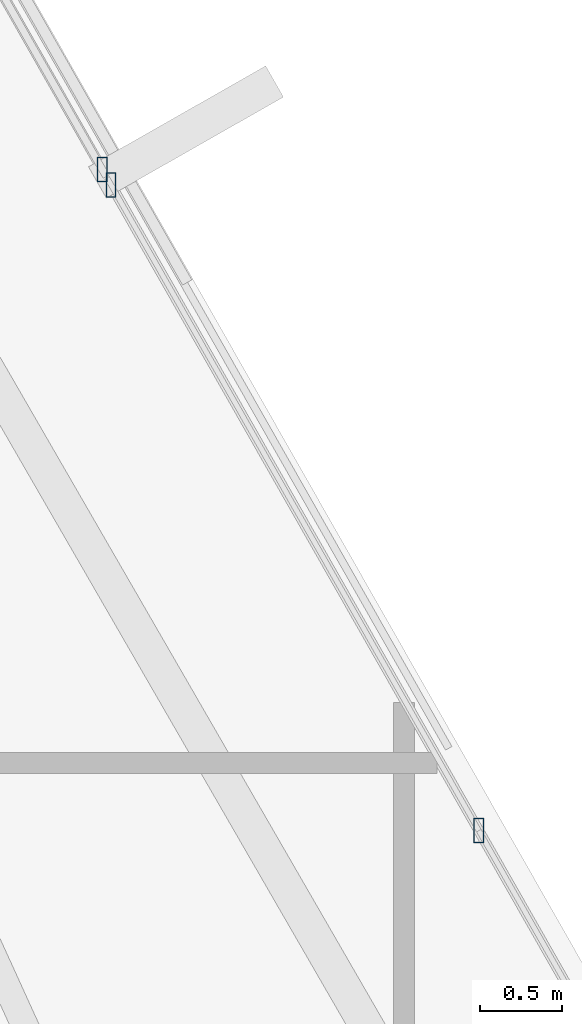
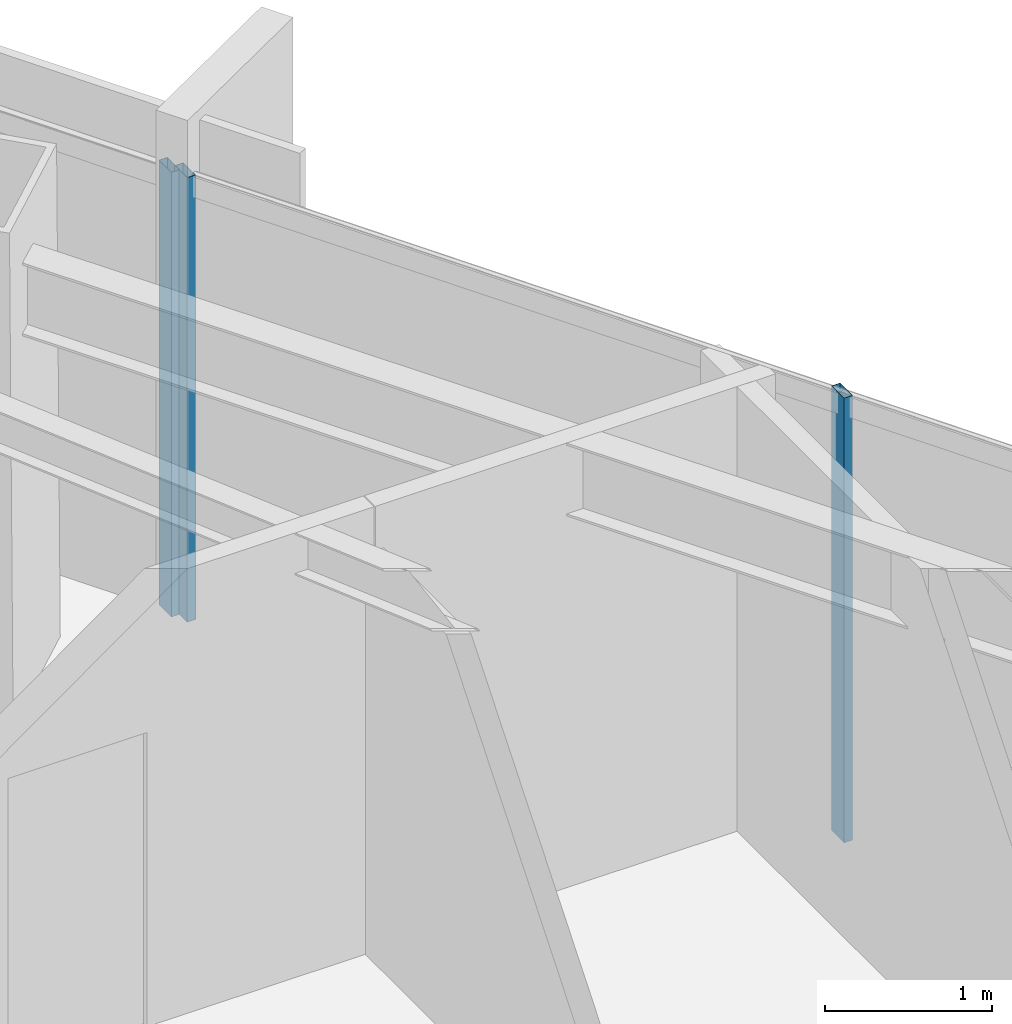
# One storey, part 23 of 40: 3 members, 2 elements without a shape of their own.
"""IFC4 building model written with IfcOpenShell, lengths in metres."""

from ifc_helpers import new_model, si_unit, direction, frame, origin, origin_2d, place, context, subcontext, project, spatial, hollow_rectangle, extrude, source, transform, mapped, material, material_profile, profile_set, type_object, type_shapes, element, aggregate, save


model = new_model("IFC4")

# Units and contexts
model_context = context("Model", 3, precision=1e-05, world=origin(), true_north=direction((0.0, 1.0)))
body_context = subcontext(model_context, "Body", "Model", "MODEL_VIEW")
ifc_project = project(units=[si_unit("LENGTHUNIT", "METRE"), si_unit("AREAUNIT", "SQUARE_METRE"), si_unit("VOLUMEUNIT", "CUBIC_METRE"), si_unit("PLANEANGLEUNIT", "RADIAN"), si_unit("MASSUNIT", "GRAM", prefix="KILO")], contexts=[model_context])

# Site, building, storey
site_placement = place(None, origin())
site = spatial("IfcSite", under=ifc_project, at=site_placement, CompositionType="ELEMENT")
building_placement = place(site_placement, origin())
building = spatial("IfcBuilding", under=site, at=building_placement, Name="Caelisora Broadcast Tower", CompositionType="ELEMENT")
storey_placement = place(building_placement, frame((0.0, 0.0, 146.39990234375)))
storey = spatial("IfcBuildingStorey", under=building, at=storey_placement, Name="L38", CompositionType="ELEMENT", Elevation=146.39990234375)

# Curtain wall, member
ifc_material_1 = material(Name="Unitised Aluminium Insulated Shadow-Box Spandrel Curtain Wall", Category="aluminium")
curtain_wall_type_1 = type_object("IfcCurtainWallType", Name="CW-SP2", PredefinedType="NOTDEFINED", material=ifc_material_1)
curtain_wall_1_placement = place(storey_placement, origin())
curtain_wall_1 = element("IfcCurtainWall", 1, at=curtain_wall_1_placement, inside=storey, type_object=curtain_wall_type_1, Name="L38 curtain wall CW-SP2", PredefinedType="NOTDEFINED")
ifc_material_2 = material(Name="Aluminium 6063-T6 Anodised Terracotta Bronze", Category="aluminium")
ifc_material_profile = material_profile(ifc_material_2, hollow_rectangle(XDim=0.06005859375, YDim=0.14990234375, WallThickness=0.00341796875, at=origin_2d()), Name="Aluminium 6063-T6 Anodised Terracotta Bronze")
ifc_profile_set = profile_set([ifc_material_profile], Name="Aluminium 6063-T6 Anodised Terracotta Bronze")
member_type = type_object("IfcMemberType", Name="CWM-03", PredefinedType="MULLION", material=ifc_profile_set)
shared_shape = source(origin(), body_context, "Body", "SweptSolid", [
    extrude(hollow_rectangle(XDim=0.06005859375, YDim=0.14990234375, WallThickness=0.00341796875, at=origin_2d()), origin(), (0.0, 0.0, 1.0), 3.25),
])
type_shapes(member_type, [shared_shape])
member_1_placement = place(storey_placement, frame((56.6796875, 27.639892578125, 0.0), z_axis=(0.0, 0.0, 1.0), x_axis=(1.0, 0.0, 0.0)))
member_1 = element("IfcMember", 2, at=member_1_placement, type_object=member_type, Name="L38-CW-B02 mullion #3", PredefinedType="MULLION", context=body_context, shape_type="MappedRepresentation", body=[
    mapped(shared_shape, transform((0.0, 0.0, 0.0), scale=1.0)),
])
aggregate(curtain_wall_1, [member_1])

# Curtain wall, members
ifc_material_3 = material(Name="Unitised Aluminium and Low-E Glass Curtain Wall", Category="glass")
curtain_wall_type_2 = type_object("IfcCurtainWallType", Name="CW-Z3", PredefinedType="NOTDEFINED", material=ifc_material_3)
curtain_wall_2_placement = place(storey_placement, origin())
curtain_wall_2 = element("IfcCurtainWall", 3, at=curtain_wall_2_placement, inside=storey, type_object=curtain_wall_type_2, Name="L38 curtain wall CW-Z3", PredefinedType="NOTDEFINED")
member_2_placement = place(storey_placement, frame((56.734130859375, 27.54443359375, 0.0), z_axis=(0.0, 0.0, 1.0), x_axis=(1.0, 0.0, 0.0)))
member_2 = element("IfcMember", 4, at=member_2_placement, type_object=member_type, Name="L38-CW-B03 mullion #0", PredefinedType="MULLION", context=body_context, shape_type="MappedRepresentation", body=[
    mapped(shared_shape, transform((0.0, 0.0, 0.0), scale=1.0)),
])
member_3_placement = place(storey_placement, frame((58.9892578125, 23.5849609375, 0.0), z_axis=(0.0, 0.0, 1.0), x_axis=(1.0, 0.0, 0.0)))
member_3 = element("IfcMember", 5, at=member_3_placement, type_object=member_type, Name="L38-CW-B03 mullion #1", PredefinedType="MULLION", context=body_context, shape_type="MappedRepresentation", body=[
    mapped(shared_shape, transform((0.0, 0.0, 0.0), scale=1.0)),
])
aggregate(curtain_wall_2, [member_2, member_3])

save(model, "model.ifc")
